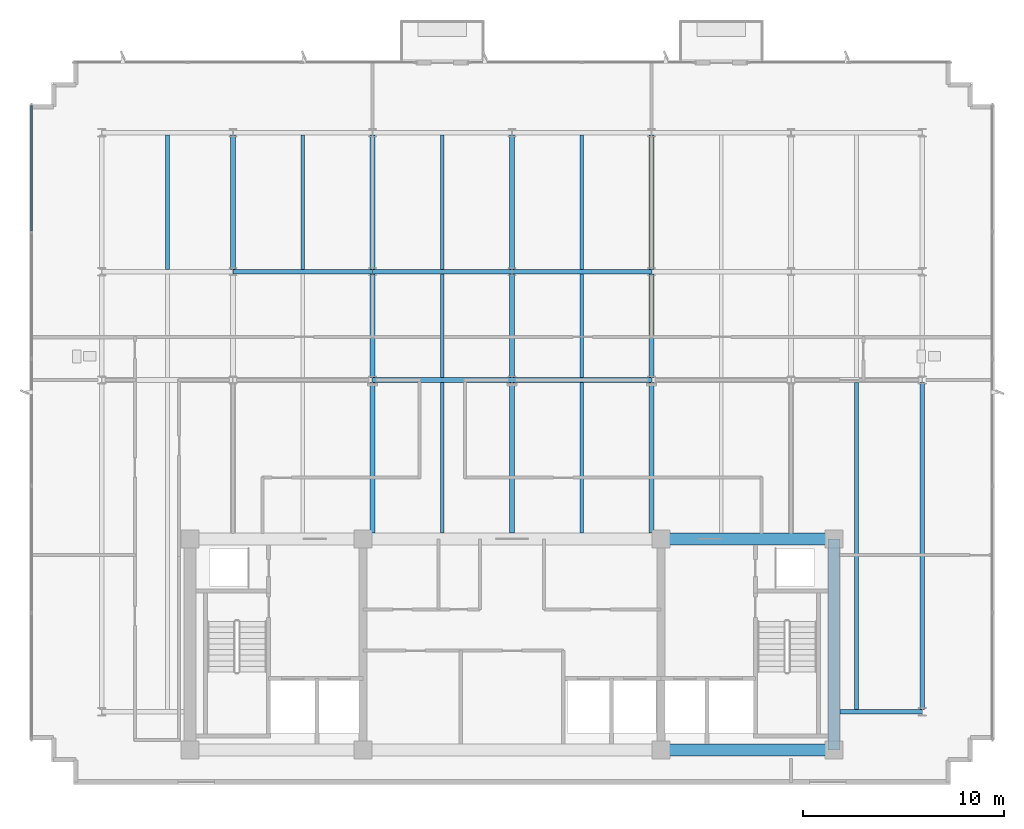
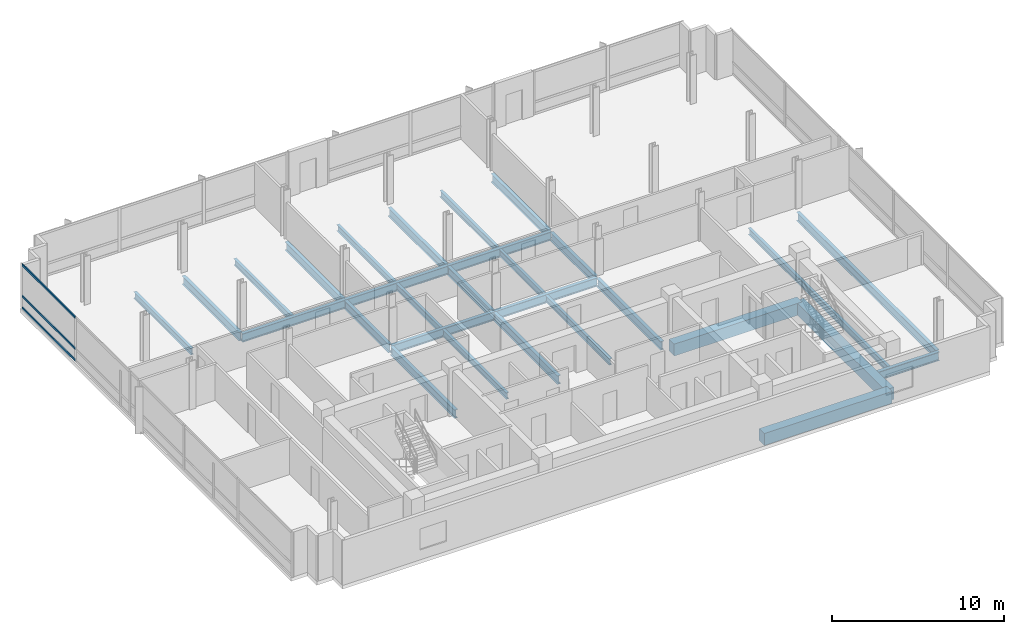
# One storey, part 3 of 13: 29 beams, 3 members, 1 element without a shape of its own.
"""IFC4 building model written with IfcOpenShell, lengths in metres."""

from ifc_helpers import new_model, si_unit, direction, frame, origin, origin_2d, place, context, subcontext, project, spatial, rectangle, i_section, extrude, material, material_profile, profile_set, type_object, element, aggregate, save


model = new_model("IFC4")

# Units and contexts
model_context = context("Model", 3, precision=1e-05, world=origin(), true_north=direction((0.0, 1.0)))
body_context = subcontext(model_context, "Body", "Model", "MODEL_VIEW")
ifc_project = project(units=[si_unit("LENGTHUNIT", "METRE"), si_unit("AREAUNIT", "SQUARE_METRE"), si_unit("VOLUMEUNIT", "CUBIC_METRE"), si_unit("PLANEANGLEUNIT", "RADIAN"), si_unit("MASSUNIT", "GRAM", prefix="KILO")], contexts=[model_context])

# Site, building, storey
site_placement = place(None, origin())
site = spatial("IfcSite", under=ifc_project, at=site_placement, CompositionType="ELEMENT")
building_placement = place(site_placement, origin())
building = spatial("IfcBuilding", under=site, at=building_placement, Name="Solmavex Isthmus Hotel", CompositionType="ELEMENT")
storey_placement = place(building_placement, frame((0.0, 0.0, 279.89990234375)))
storey = spatial("IfcBuildingStorey", under=building, at=storey_placement, Name="L76", CompositionType="ELEMENT", Elevation=279.89990234375)

# Beams
ifc_material_1 = material(Name="Steel ASTM A992 Grade 50", Category="steel")
ifc_material_profile_1 = material_profile(ifc_material_1, i_section(OverallWidth=0.1904296875, OverallDepth=0.456787109375, WebThickness=0.009033203125, FlangeThickness=0.014404296875, FilletRadius=0.0126953125, at=origin_2d()), Name="W18X50")
ifc_profile_set_1 = profile_set([ifc_material_profile_1], Name="Steel ASTM A992 Grade 50")
beam_type_1 = type_object("IfcBeamType", Name="BM-BJ-W18X50", PredefinedType="JOIST", material=ifc_profile_set_1)
for number, where, z_axis, x_axis, name in (
    (1, (-17.135986328125, 10.90185546875, -0.48828125), (0.0, 1.0, 0.0), (-1.0, 0.0, 0.0), "Secondary Floor Joist L76-J03"),
    (2, (-10.404052734375, 10.90185546875, -0.48828125), (0.0, 1.0, 0.0), (-1.0, 0.0, 0.0), "Secondary Floor Joist L76-J06"),
):
    element("IfcBeam", number, at=place(storey_placement, frame(where, z_axis=z_axis, x_axis=x_axis)), inside=storey, type_object=beam_type_1, Name=name, PredefinedType="JOIST", context=body_context, shape_type="SweptSolid", body=[
        extrude(i_section(OverallWidth=0.1904296875, OverallDepth=0.456787109375, WebThickness=0.009033203125, FlangeThickness=0.014404296875, FilletRadius=0.0126953125, at=origin_2d()), origin(), (0.0, 0.0, 1.0), 6.682861328125),
    ])
beam_1_placement = place(storey_placement, frame((-3.468017578125, -2.199951171875, -0.48828125), z_axis=(0.0, 1.0, 0.0), x_axis=(-1.0, 0.0, 0.0)))
element("IfcBeam", 3, at=beam_1_placement, inside=storey, type_object=beam_type_1, Name="Secondary Floor Joist L76-J07", PredefinedType="JOIST", context=body_context, shape_type="SweptSolid", body=[
    extrude(i_section(OverallWidth=0.1904296875, OverallDepth=0.456787109375, WebThickness=0.009033203125, FlangeThickness=0.014404296875, FilletRadius=0.0126953125, at=origin_2d()), origin(), (0.0, 0.0, 1.0), 7.486083984375),
])
beam_2_placement = place(storey_placement, frame((-3.468017578125, 5.513916015625, -0.48828125), z_axis=(0.0, 1.0, 0.0), x_axis=(-1.0, 0.0, 0.0)))
element("IfcBeam", 4, at=beam_2_placement, inside=storey, type_object=beam_type_1, Name="Secondary Floor Joist L76-J08", PredefinedType="JOIST", context=body_context, shape_type="SweptSolid", body=[
    extrude(i_section(OverallWidth=0.1904296875, OverallDepth=0.456787109375, WebThickness=0.009033203125, FlangeThickness=0.014404296875, FilletRadius=0.0126953125, at=origin_2d()), origin(), (0.0, 0.0, 1.0), 5.16015625),
])
beam_3_placement = place(storey_placement, frame((-3.468017578125, 10.90185546875, -0.48828125), z_axis=(0.0, 1.0, 0.0), x_axis=(-1.0, 0.0, 0.0)))
element("IfcBeam", 5, at=beam_3_placement, inside=storey, type_object=beam_type_1, Name="Secondary Floor Joist L76-J09", PredefinedType="JOIST", context=body_context, shape_type="SweptSolid", body=[
    extrude(i_section(OverallWidth=0.1904296875, OverallDepth=0.456787109375, WebThickness=0.009033203125, FlangeThickness=0.014404296875, FilletRadius=0.0126953125, at=origin_2d()), origin(), (0.0, 0.0, 1.0), 6.682861328125),
])
beam_4_placement = place(storey_placement, frame((3.468017578125, -2.199951171875, -0.48828125), z_axis=(0.0, 1.0, 0.0), x_axis=(-1.0, 0.0, 0.0)))
element("IfcBeam", 6, at=beam_4_placement, inside=storey, type_object=beam_type_1, Name="Secondary Floor Joist L76-J10", PredefinedType="JOIST", context=body_context, shape_type="SweptSolid", body=[
    extrude(i_section(OverallWidth=0.1904296875, OverallDepth=0.456787109375, WebThickness=0.009033203125, FlangeThickness=0.014404296875, FilletRadius=0.0126953125, at=origin_2d()), origin(), (0.0, 0.0, 1.0), 7.486083984375),
])
beam_5_placement = place(storey_placement, frame((3.468017578125, 5.513916015625, -0.48828125), z_axis=(0.0, 1.0, 0.0), x_axis=(-1.0, 0.0, 0.0)))
element("IfcBeam", 7, at=beam_5_placement, inside=storey, type_object=beam_type_1, Name="Secondary Floor Joist L76-J11", PredefinedType="JOIST", context=body_context, shape_type="SweptSolid", body=[
    extrude(i_section(OverallWidth=0.1904296875, OverallDepth=0.456787109375, WebThickness=0.009033203125, FlangeThickness=0.014404296875, FilletRadius=0.0126953125, at=origin_2d()), origin(), (0.0, 0.0, 1.0), 5.16015625),
])
beam_6_placement = place(storey_placement, frame((3.468017578125, 10.90185546875, -0.48828125), z_axis=(0.0, 1.0, 0.0), x_axis=(-1.0, 0.0, 0.0)))
element("IfcBeam", 8, at=beam_6_placement, inside=storey, type_object=beam_type_1, Name="Secondary Floor Joist L76-J12", PredefinedType="JOIST", context=body_context, shape_type="SweptSolid", body=[
    extrude(i_section(OverallWidth=0.1904296875, OverallDepth=0.456787109375, WebThickness=0.009033203125, FlangeThickness=0.014404296875, FilletRadius=0.0126953125, at=origin_2d()), origin(), (0.0, 0.0, 1.0), 6.682861328125),
])
beam_7_placement = place(storey_placement, frame((17.135986328125, -10.98486328125, -0.48828125), z_axis=(0.0, 1.0, 0.0), x_axis=(-1.0, 0.0, 0.0)))
element("IfcBeam", 9, at=beam_7_placement, inside=storey, type_object=beam_type_1, Name="Secondary Floor Joist L76-J16", PredefinedType="JOIST", context=body_context, shape_type="SweptSolid", body=[
    extrude(i_section(OverallWidth=0.1904296875, OverallDepth=0.456787109375, WebThickness=0.009033203125, FlangeThickness=0.014404296875, FilletRadius=0.0126953125, at=origin_2d()), origin(), (0.0, 0.0, 1.0), 16.27099609375),
])
ifc_material_profile_2 = material_profile(ifc_material_1, i_section(OverallWidth=0.227783203125, OverallDepth=0.602783203125, WebThickness=0.010498046875, FlangeThickness=0.014892578125, FilletRadius=0.01513671875, at=origin_2d()), Name="W24X68")
ifc_profile_set_2 = profile_set([ifc_material_profile_2], Name="Steel ASTM A992 Grade 50")
beam_type_2 = type_object("IfcBeamType", Name="BM-BM-W24X68", PredefinedType="BEAM", material=ifc_profile_set_2)
for number, where, z_axis, x_axis, name in (
    (10, (-6.93603515625, 5.39990234375, -0.561279296875), (1.0, 0.0, 0.0), (0.0, 1.0, 0.0), "Floor Girder L76-UG05"),
    (11, (0.0, 5.39990234375, -0.561279296875), (1.0, 0.0, 0.0), (0.0, 1.0, 0.0), "Floor Girder L76-UG06"),
    (12, (-13.8720703125, 10.7880859375, -0.561279296875), (1.0, 0.0, 0.0), (0.0, 1.0, 0.0), "Floor Girder L76-UG10"),
    (13, (-6.93603515625, 10.7880859375, -0.561279296875), (1.0, 0.0, 0.0), (0.0, 1.0, 0.0), "Floor Girder L76-UG11"),
    (14, (0.0, 10.7880859375, -0.561279296875), (1.0, 0.0, 0.0), (0.0, 1.0, 0.0), "Floor Girder L76-UG12"),
):
    element("IfcBeam", number, at=place(storey_placement, frame(where, z_axis=z_axis, x_axis=x_axis)), inside=storey, type_object=beam_type_2, Name=name, PredefinedType="BEAM", context=body_context, shape_type="SweptSolid", body=[
        extrude(i_section(OverallWidth=0.227783203125, OverallDepth=0.602783203125, WebThickness=0.010498046875, FlangeThickness=0.014892578125, FilletRadius=0.01513671875, at=origin_2d()), origin(), (0.0, 0.0, 1.0), 6.93603515625),
    ])
beam_8_placement = place(storey_placement, frame((-13.8720703125, 10.90185546875, -0.561279296875), z_axis=(0.0, 1.0, 0.0), x_axis=(-1.0, 0.0, 0.0)))
element("IfcBeam", 15, at=beam_8_placement, inside=storey, type_object=beam_type_2, Name="Floor Beam L76-VG26", PredefinedType="BEAM", context=body_context, shape_type="SweptSolid", body=[
    extrude(i_section(OverallWidth=0.227783203125, OverallDepth=0.602783203125, WebThickness=0.010498046875, FlangeThickness=0.014892578125, FilletRadius=0.01513671875, at=origin_2d()), origin(), (0.0, 0.0, 1.0), 6.682861328125),
])
beam_9_placement = place(storey_placement, frame((-6.93603515625, -2.199951171875, -0.561279296875), z_axis=(0.0, 1.0, 0.0), x_axis=(-1.0, 0.0, 0.0)))
element("IfcBeam", 16, at=beam_9_placement, inside=storey, type_object=beam_type_2, Name="Floor Beam L76-VG27", PredefinedType="BEAM", context=body_context, shape_type="SweptSolid", body=[
    extrude(i_section(OverallWidth=0.227783203125, OverallDepth=0.602783203125, WebThickness=0.010498046875, FlangeThickness=0.014892578125, FilletRadius=0.01513671875, at=origin_2d()), origin(), (0.0, 0.0, 1.0), 7.486083984375),
])
beam_10_placement = place(storey_placement, frame((-6.93603515625, 5.513916015625, -0.561279296875), z_axis=(0.0, 1.0, 0.0), x_axis=(-1.0, 0.0, 0.0)))
element("IfcBeam", 17, at=beam_10_placement, inside=storey, type_object=beam_type_2, Name="Floor Beam L76-VG28", PredefinedType="BEAM", context=body_context, shape_type="SweptSolid", body=[
    extrude(i_section(OverallWidth=0.227783203125, OverallDepth=0.602783203125, WebThickness=0.010498046875, FlangeThickness=0.014892578125, FilletRadius=0.01513671875, at=origin_2d()), origin(), (0.0, 0.0, 1.0), 5.16015625),
])
beam_11_placement = place(storey_placement, frame((-6.93603515625, 10.90185546875, -0.561279296875), z_axis=(0.0, 1.0, 0.0), x_axis=(-1.0, 0.0, 0.0)))
element("IfcBeam", 18, at=beam_11_placement, inside=storey, type_object=beam_type_2, Name="Floor Beam L76-VG29", PredefinedType="BEAM", context=body_context, shape_type="SweptSolid", body=[
    extrude(i_section(OverallWidth=0.227783203125, OverallDepth=0.602783203125, WebThickness=0.010498046875, FlangeThickness=0.014892578125, FilletRadius=0.01513671875, at=origin_2d()), origin(), (0.0, 0.0, 1.0), 6.682861328125),
])
beam_12_placement = place(storey_placement, frame((0.0, -2.199951171875, -0.561279296875), z_axis=(0.0, 1.0, 0.0), x_axis=(-1.0, 0.0, 0.0)))
element("IfcBeam", 19, at=beam_12_placement, inside=storey, type_object=beam_type_2, Name="Floor Beam L76-VG30", PredefinedType="BEAM", context=body_context, shape_type="SweptSolid", body=[
    extrude(i_section(OverallWidth=0.227783203125, OverallDepth=0.602783203125, WebThickness=0.010498046875, FlangeThickness=0.014892578125, FilletRadius=0.01513671875, at=origin_2d()), origin(), (0.0, 0.0, 1.0), 7.486083984375),
])
beam_13_placement = place(storey_placement, frame((0.0, 5.513916015625, -0.561279296875), z_axis=(0.0, 1.0, 0.0), x_axis=(-1.0, 0.0, 0.0)))
element("IfcBeam", 20, at=beam_13_placement, inside=storey, type_object=beam_type_2, Name="Floor Beam L76-VG31", PredefinedType="BEAM", context=body_context, shape_type="SweptSolid", body=[
    extrude(i_section(OverallWidth=0.227783203125, OverallDepth=0.602783203125, WebThickness=0.010498046875, FlangeThickness=0.014892578125, FilletRadius=0.01513671875, at=origin_2d()), origin(), (0.0, 0.0, 1.0), 5.16015625),
])
beam_14_placement = place(storey_placement, frame((0.0, 10.90185546875, -0.561279296875), z_axis=(0.0, 1.0, 0.0), x_axis=(-1.0, 0.0, 0.0)))
element("IfcBeam", 21, at=beam_14_placement, inside=storey, type_object=beam_type_2, Name="Floor Beam L76-VG32", PredefinedType="BEAM", context=body_context, shape_type="SweptSolid", body=[
    extrude(i_section(OverallWidth=0.227783203125, OverallDepth=0.602783203125, WebThickness=0.010498046875, FlangeThickness=0.014892578125, FilletRadius=0.01513671875, at=origin_2d()), origin(), (0.0, 0.0, 1.0), 6.682861328125),
])
beam_15_placement = place(storey_placement, frame((6.93603515625, -2.199951171875, -0.561279296875), z_axis=(0.0, 1.0, 0.0), x_axis=(-1.0, 0.0, 0.0)))
element("IfcBeam", 22, at=beam_15_placement, inside=storey, type_object=beam_type_2, Name="Floor Beam L76-VG33", PredefinedType="BEAM", context=body_context, shape_type="SweptSolid", body=[
    extrude(i_section(OverallWidth=0.227783203125, OverallDepth=0.602783203125, WebThickness=0.010498046875, FlangeThickness=0.014892578125, FilletRadius=0.01513671875, at=origin_2d()), origin(), (0.0, 0.0, 1.0), 7.486083984375),
])
beam_16_placement = place(storey_placement, frame((6.93603515625, 5.513916015625, -0.561279296875), z_axis=(0.0, 1.0, 0.0), x_axis=(-1.0, 0.0, 0.0)))
element("IfcBeam", 23, at=beam_16_placement, inside=storey, type_object=beam_type_2, Name="Floor Beam L76-VG34", PredefinedType="BEAM", context=body_context, shape_type="SweptSolid", body=[
    extrude(i_section(OverallWidth=0.227783203125, OverallDepth=0.602783203125, WebThickness=0.010498046875, FlangeThickness=0.014892578125, FilletRadius=0.01513671875, at=origin_2d()), origin(), (0.0, 0.0, 1.0), 5.16015625),
])
beam_17_placement = place(storey_placement, frame((6.93603515625, 10.90185546875, -0.561279296875), z_axis=(0.0, 1.0, 0.0), x_axis=(-1.0, 0.0, 0.0)))
element("IfcBeam", 24, at=beam_17_placement, inside=storey, type_object=beam_type_2, Name="Floor Beam L76-VG35", PredefinedType="BEAM", context=body_context, shape_type="SweptSolid", body=[
    extrude(i_section(OverallWidth=0.227783203125, OverallDepth=0.602783203125, WebThickness=0.010498046875, FlangeThickness=0.014892578125, FilletRadius=0.01513671875, at=origin_2d()), origin(), (0.0, 0.0, 1.0), 6.682861328125),
])
ifc_material_2 = material(Name="Concrete C50/60", Category="concrete")
ifc_material_profile_3 = material_profile(ifc_material_2, rectangle(XDim=0.60009765625, YDim=0.85009765625, at=origin_2d()), Name="RC600X850")
ifc_profile_set_3 = profile_set([ifc_material_profile_3], Name="Concrete C50/60")
beam_type_3 = type_object("IfcBeamType", Name="BM-CB-600X850", PredefinedType="BEAM", material=ifc_profile_set_3)
for number, where, z_axis, x_axis, name in (
    (25, (7.39990234375, -13.0, -0.684814453125), (1.0, 0.0, 0.0), (0.0, 1.0, 0.0), "Core Coupling Beam L76-CB3"),
    (26, (7.39990234375, -2.5, -0.684814453125), (1.0, 0.0, 0.0), (0.0, 1.0, 0.0), "Core Coupling Beam L76-CB6"),
):
    element("IfcBeam", number, at=place(storey_placement, frame(where, z_axis=z_axis, x_axis=x_axis)), inside=storey, type_object=beam_type_3, Name=name, PredefinedType="BEAM", context=body_context, shape_type="SweptSolid", body=[
        extrude(rectangle(XDim=0.60009765625, YDim=0.85009765625, at=origin_2d()), origin(), (0.0, 0.0, 1.0), 8.60009765625),
    ])
beam_18_placement = place(storey_placement, frame((16.0, -13.0, -0.684814453125), z_axis=(0.0, 1.0, 0.0), x_axis=(-1.0, 0.0, 0.0)))
element("IfcBeam", 27, at=beam_18_placement, inside=storey, type_object=beam_type_3, Name="Core Coupling Beam L76-CB8", PredefinedType="BEAM", context=body_context, shape_type="SweptSolid", body=[
    extrude(rectangle(XDim=0.60009765625, YDim=0.85009765625, at=origin_2d()), origin(), (0.0, 0.0, 1.0), 10.5),
])
ifc_material_profile_4 = material_profile(ifc_material_1, i_section(OverallWidth=0.230224609375, OverallDepth=0.617431640625, WebThickness=0.01318359375, FlangeThickness=0.022216796875, FilletRadius=0.01513671875, at=origin_2d()), Name="W24X94")
ifc_profile_set_4 = profile_set([ifc_material_profile_4], Name="Steel ASTM A992 Grade 50")
beam_type_4 = type_object("IfcBeamType", Name="BM-SP-W24X94", PredefinedType="SPANDREL", material=ifc_profile_set_4)
beam_19_placement = place(storey_placement, frame((16.300048828125, -11.10009765625, -0.568603515625), z_axis=(1.0, 0.0, 0.0), x_axis=(0.0, 1.0, 0.0)))
element("IfcBeam", 28, at=beam_19_placement, inside=storey, type_object=beam_type_4, Name="Floor Girder L76-UG02", PredefinedType="SPANDREL", context=body_context, shape_type="SweptSolid", body=[
    extrude(i_section(OverallWidth=0.230224609375, OverallDepth=0.617431640625, WebThickness=0.01318359375, FlangeThickness=0.022216796875, FilletRadius=0.01513671875, at=origin_2d()), origin(), (0.0, 0.0, 1.0), 4.099853515625),
])
beam_20_placement = place(storey_placement, frame((20.39990234375, -10.98486328125, -0.568603515625), z_axis=(0.0, 1.0, 0.0), x_axis=(-1.0, 0.0, 0.0)))
element("IfcBeam", 29, at=beam_20_placement, inside=storey, type_object=beam_type_4, Name="Floor Beam L76-VG39", PredefinedType="SPANDREL", context=body_context, shape_type="SweptSolid", body=[
    extrude(i_section(OverallWidth=0.230224609375, OverallDepth=0.617431640625, WebThickness=0.01318359375, FlangeThickness=0.022216796875, FilletRadius=0.01513671875, at=origin_2d()), origin(), (0.0, 0.0, 1.0), 16.27099609375),
])

# Curtain wall, members
ifc_material_3 = material(Name="Aluminium alloy 6063-T6", Category="aluminium")
curtain_wall_type = type_object("IfcCurtainWallType", Name="CW-SYS-04", PredefinedType="NOTDEFINED", material=ifc_material_3)
curtain_wall_placement = place(storey_placement, origin())
curtain_wall = element("IfcCurtainWall", 30, at=curtain_wall_placement, inside=storey, type_object=curtain_wall_type, Name="Stick Curtain Wall CWL-L76-W1", PredefinedType="NOTDEFINED")
ifc_material_profile_5 = material_profile(ifc_material_3, rectangle(XDim=0.074951171875, YDim=0.14990234375, at=origin_2d()), Name="CWT-75X150")
ifc_profile_set_5 = profile_set([ifc_material_profile_5], Name="Aluminium alloy 6063-T6")
member_type = type_object("IfcMemberType", Name="CW-SYS-04-TRN", PredefinedType="USERDEFINED", material=ifc_profile_set_5)
member_1_placement = place(storey_placement, frame((-23.8798828125, 12.8173828125, 0.0751953125), z_axis=(0.0, 1.0, 0.0), x_axis=(-1.0, 0.0, 0.0)))
member_1 = element("IfcMember", 31, at=member_1_placement, type_object=member_type, Name="CW-04 transom 5.1", ObjectType="TRANSOM", PredefinedType="USERDEFINED", context=body_context, shape_type="SweptSolid", body=[
    extrude(rectangle(XDim=0.074951171875, YDim=0.14990234375, at=origin_2d()), origin(), (0.0, 0.0, 1.0), 6.20751953125),
])
member_2_placement = place(storey_placement, frame((-23.8798828125, 12.8173828125, 0.900146484375), z_axis=(0.0, 1.0, 0.0), x_axis=(-1.0, 0.0, 0.0)))
member_2 = element("IfcMember", 32, at=member_2_placement, type_object=member_type, Name="CW-04 transom 5.2", ObjectType="TRANSOM", PredefinedType="USERDEFINED", context=body_context, shape_type="SweptSolid", body=[
    extrude(rectangle(XDim=0.074951171875, YDim=0.14990234375, at=origin_2d()), origin(), (0.0, 0.0, 1.0), 6.20751953125),
])
member_3_placement = place(storey_placement, frame((-23.8798828125, 12.8173828125, 3.114990234375), z_axis=(0.0, 1.0, 0.0), x_axis=(-1.0, 0.0, 0.0)))
member_3 = element("IfcMember", 33, at=member_3_placement, type_object=member_type, Name="CW-04 transom 5.3", ObjectType="TRANSOM", PredefinedType="USERDEFINED", context=body_context, shape_type="SweptSolid", body=[
    extrude(rectangle(XDim=0.074951171875, YDim=0.14990234375, at=origin_2d()), origin(), (0.0, 0.0, 1.0), 6.20751953125),
])
aggregate(curtain_wall, [member_1, member_2, member_3])

save(model, "model.ifc")
